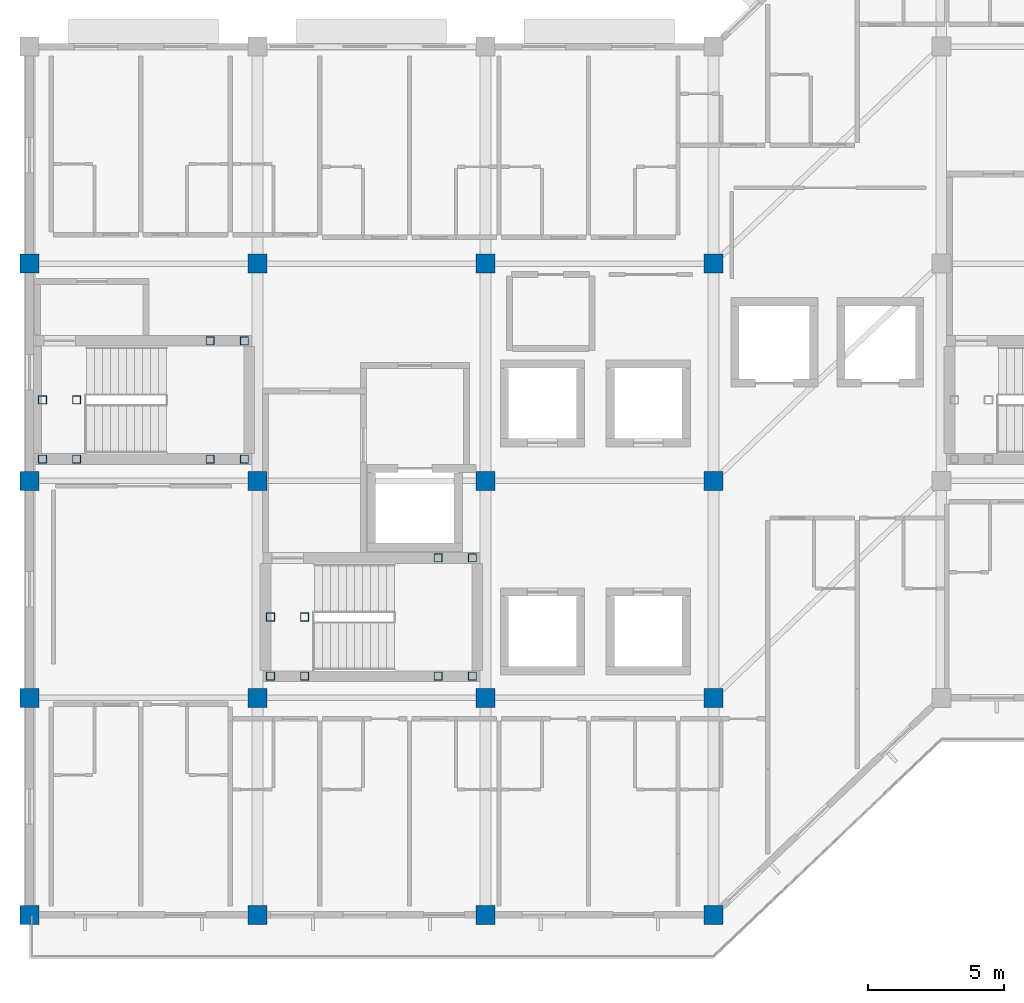
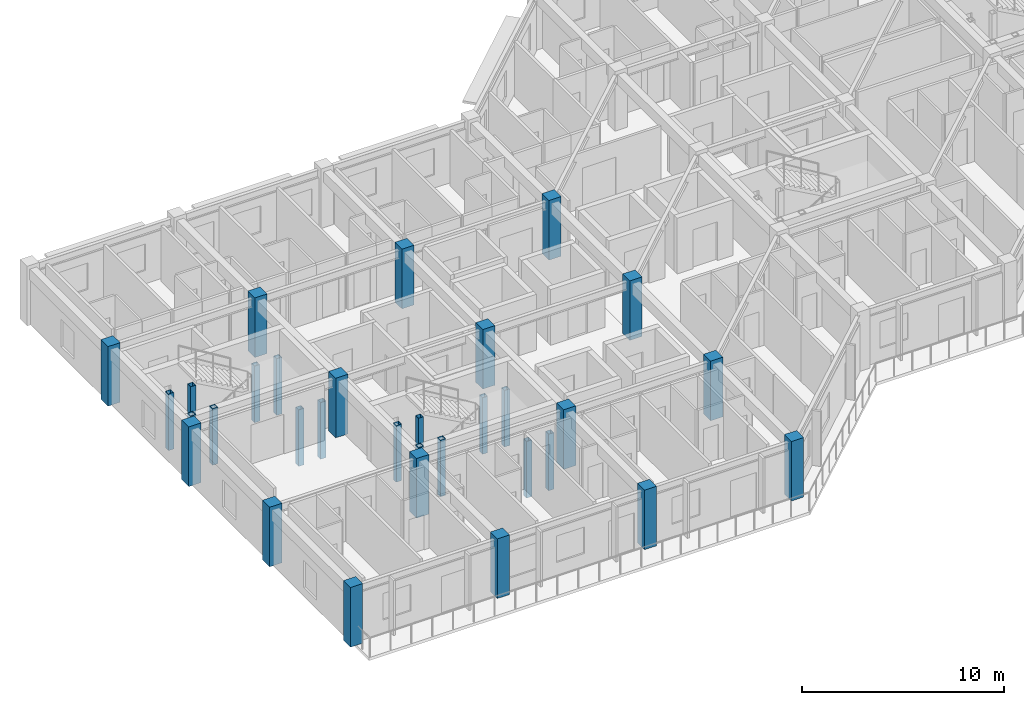
# One storey, part 1 of 16: 32 columns.
"""IFC4 building model written with IfcOpenShell, lengths in metres."""

from ifc_helpers import new_model, si_unit, direction, frame, origin, origin_2d, place, context, subcontext, project, spatial, rectangle, hollow_rectangle, extrude, material, material_profile, profile_set, type_object, element, save


model = new_model("IFC4")

# Units and contexts
model_context = context("Model", 3, precision=1e-05, world=origin(), true_north=direction((0.0, 1.0)))
body_context = subcontext(model_context, "Body", "Model", "MODEL_VIEW")
ifc_project = project(units=[si_unit("LENGTHUNIT", "METRE"), si_unit("AREAUNIT", "SQUARE_METRE"), si_unit("VOLUMEUNIT", "CUBIC_METRE"), si_unit("PLANEANGLEUNIT", "RADIAN"), si_unit("MASSUNIT", "GRAM", prefix="KILO")], contexts=[model_context])

# Site, building, storey
site_placement = place(None, origin())
site = spatial("IfcSite", under=ifc_project, at=site_placement, CompositionType="ELEMENT")
building_placement = place(site_placement, origin())
building = spatial("IfcBuilding", under=site, at=building_placement, Name="Naruveol Harbour Congress Hotel", CompositionType="ELEMENT")
storey_placement = place(building_placement, frame((0.0, 0.0, 28.800048828125)))
storey = spatial("IfcBuildingStorey", under=building, at=storey_placement, Name="L06", CompositionType="ELEMENT", Elevation=28.800048828125)

# Columns
ifc_material_1 = material(Name="Concrete C40/50", Category="concrete")
ifc_material_profile_1 = material_profile(ifc_material_1, rectangle(XDim=0.699951171875, YDim=0.699951171875, at=origin_2d()), Name="RC-700x700")
ifc_profile_set_1 = profile_set([ifc_material_profile_1], Name="Concrete C40/50")
column_type_1 = type_object("IfcColumnType", Name="RC HOTEL COLUMN 700X700", PredefinedType="COLUMN", material=ifc_profile_set_1)
for number, where, z_axis, x_axis, name in (
    (1, (117.60009765625, 0.0, 0.0), (0.0, 0.0, 1.0), (1.0, 0.0, 0.0), "Column C-700 L06 (117.6,0.0)"),
    (2, (117.60009765625, 16.0, 0.0), (0.0, 0.0, 1.0), (1.0, 0.0, 0.0), "Column C-700 L06 (117.6,16.0)"),
    (3, (126.0, 0.0, 0.0), (0.0, 0.0, 1.0), (1.0, 0.0, 0.0), "Column C-700 L06 (126.0,0.0)"),
    (4, (126.0, 16.0, 0.0), (0.0, 0.0, 1.0), (1.0, 0.0, 0.0), "Column C-700 L06 (126.0,16.0)"),
    (5, (134.39990234375, 0.0, 0.0), (0.0, 0.0, 1.0), (1.0, 0.0, 0.0), "Column C-700 L06 (134.4,0.0)"),
    (6, (134.39990234375, 16.0, 0.0), (0.0, 0.0, 1.0), (1.0, 0.0, 0.0), "Column C-700 L06 (134.4,16.0)"),
    (7, (142.800048828125, 0.0, 0.0), (0.0, 0.0, 1.0), (1.0, 0.0, 0.0), "Column C-700 L06 (142.8,0.0)"),
    (8, (142.800048828125, 16.0, 0.0), (0.0, 0.0, 1.0), (1.0, 0.0, 0.0), "Column C-700 L06 (142.8,16.0)"),
    (9, (117.60009765625, 8.0, 0.0), (0.0, 0.0, 1.0), (1.0, 0.0, 0.0), "Planted hotel column C-700 L06 S0/J1"),
    (10, (117.60009765625, 24.0, 0.0), (0.0, 0.0, 1.0), (1.0, 0.0, 0.0), "Planted hotel column C-700 L06 S0/J3"),
    (11, (126.0, 8.0, 0.0), (0.0, 0.0, 1.0), (1.0, 0.0, 0.0), "Planted hotel column C-700 L06 S1/J1"),
    (12, (126.0, 24.0, 0.0), (0.0, 0.0, 1.0), (1.0, 0.0, 0.0), "Planted hotel column C-700 L06 S1/J3"),
    (13, (134.39990234375, 8.0, 0.0), (0.0, 0.0, 1.0), (1.0, 0.0, 0.0), "Planted hotel column C-700 L06 S2/J1"),
    (14, (134.39990234375, 24.0, 0.0), (0.0, 0.0, 1.0), (1.0, 0.0, 0.0), "Planted hotel column C-700 L06 S2/J3"),
    (15, (142.800048828125, 8.0, 0.0), (0.0, 0.0, 1.0), (1.0, 0.0, 0.0), "Planted hotel column C-700 L06 S3/J1"),
    (16, (142.800048828125, 24.0, 0.0), (0.0, 0.0, 1.0), (1.0, 0.0, 0.0), "Planted hotel column C-700 L06 S3/J3"),
):
    element("IfcColumn", number, at=place(storey_placement, frame(where, z_axis=z_axis, x_axis=x_axis)), inside=storey, type_object=column_type_1, Name=name, PredefinedType="COLUMN", context=body_context, shape_type="SweptSolid", body=[
        extrude(rectangle(XDim=0.699951171875, YDim=0.699951171875, at=origin_2d()), origin(), (0.0, 0.0, 1.0), 3.599853515625),
    ])
ifc_material_2 = material(Name="Steel SN490", Category="steel")
ifc_material_profile_2 = material_profile(ifc_material_2, hollow_rectangle(XDim=0.300048828125, YDim=0.300048828125, WallThickness=0.011962890625, at=origin_2d()), Name="SHS-300x300x12")
ifc_profile_set_2 = profile_set([ifc_material_profile_2], Name="Steel SN490")
column_type_2 = type_object("IfcColumnType", Name="STEEL COLONNADE POST SHS300", PredefinedType="COLUMN", material=ifc_profile_set_2)
for number, where, z_axis, x_axis, name in (
    (17, (126.47998046875, 8.800048828125, 0.0), (0.0, 0.0, 1.0), (1.0, 0.0, 0.0), "Stair landing support post ST1W #8"),
    (18, (126.47998046875, 10.97998046875, 0.0), (0.0, 0.0, 1.0), (1.0, 0.0, 0.0), "Stair landing support post ST1W #20"),
    (19, (127.739990234375, 8.800048828125, 0.0), (0.0, 0.0, 1.0), (1.0, 0.0, 0.0), "Stair landing support post ST1W #32"),
    (20, (127.739990234375, 10.97998046875, 0.0), (0.0, 0.0, 1.0), (1.0, 0.0, 0.0), "Stair landing support post ST1W #44"),
    (21, (132.659912109375, 8.800048828125, -1.800048828125), (0.0, 0.0, 1.0), (1.0, 0.0, 0.0), "Stair landing support post ST1E #56"),
    (22, (132.659912109375, 13.159912109375, -1.800048828125), (0.0, 0.0, 1.0), (1.0, 0.0, 0.0), "Stair landing support post ST1E #68"),
    (23, (133.919921875, 8.800048828125, -1.800048828125), (0.0, 0.0, 1.0), (1.0, 0.0, 0.0), "Stair landing support post ST1E #80"),
    (24, (133.919921875, 13.159912109375, -1.800048828125), (0.0, 0.0, 1.0), (1.0, 0.0, 0.0), "Stair landing support post ST1E #92"),
    (25, (118.080078125, 16.800048828125, 0.0), (0.0, 0.0, 1.0), (1.0, 0.0, 0.0), "Stair landing support post ST3W #200"),
    (26, (118.080078125, 18.97998046875, 0.0), (0.0, 0.0, 1.0), (1.0, 0.0, 0.0), "Stair landing support post ST3W #210"),
    (27, (119.340087890625, 16.800048828125, 0.0), (0.0, 0.0, 1.0), (1.0, 0.0, 0.0), "Stair landing support post ST3W #220"),
    (28, (119.340087890625, 18.97998046875, 0.0), (0.0, 0.0, 1.0), (1.0, 0.0, 0.0), "Stair landing support post ST3W #230"),
    (29, (124.260009765625, 16.800048828125, -1.800048828125), (0.0, 0.0, 1.0), (1.0, 0.0, 0.0), "Stair landing support post ST3E #240"),
    (30, (124.260009765625, 21.159912109375, -1.800048828125), (0.0, 0.0, 1.0), (1.0, 0.0, 0.0), "Stair landing support post ST3E #250"),
    (31, (125.52001953125, 16.800048828125, -1.800048828125), (0.0, 0.0, 1.0), (1.0, 0.0, 0.0), "Stair landing support post ST3E #260"),
    (32, (125.52001953125, 21.159912109375, -1.800048828125), (0.0, 0.0, 1.0), (1.0, 0.0, 0.0), "Stair landing support post ST3E #270"),
):
    element("IfcColumn", number, at=place(storey_placement, frame(where, z_axis=z_axis, x_axis=x_axis)), inside=storey, type_object=column_type_2, Name=name, PredefinedType="COLUMN", context=body_context, shape_type="SweptSolid", body=[
        extrude(hollow_rectangle(XDim=0.300048828125, YDim=0.300048828125, WallThickness=0.011962890625, at=origin_2d()), origin(), (0.0, 0.0, 1.0), 3.419921875),
    ])

save(model, "model.ifc")
